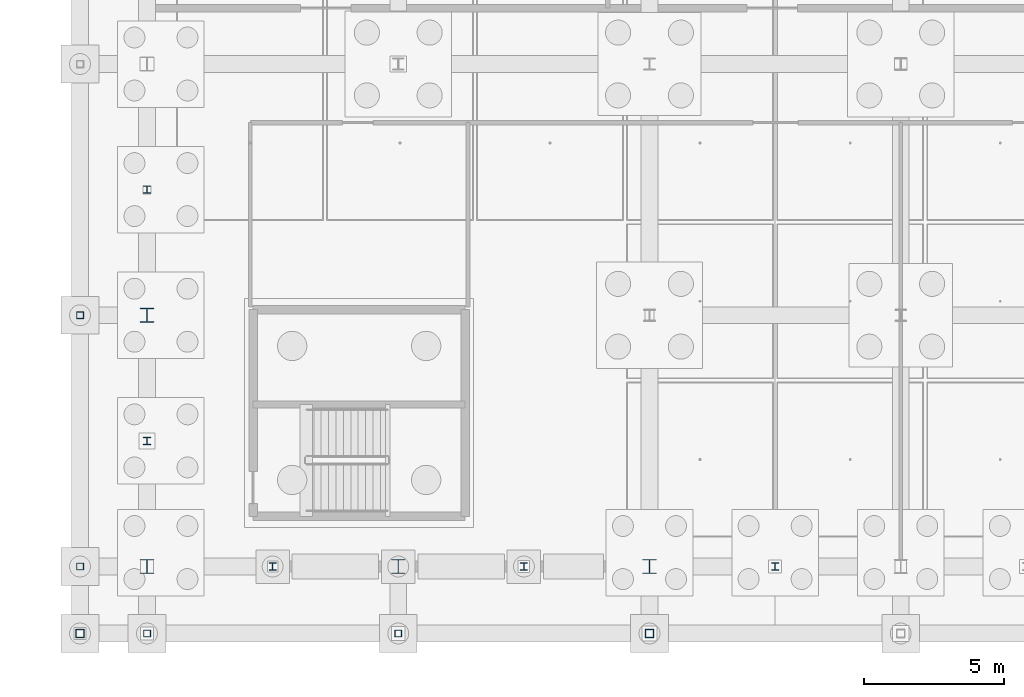
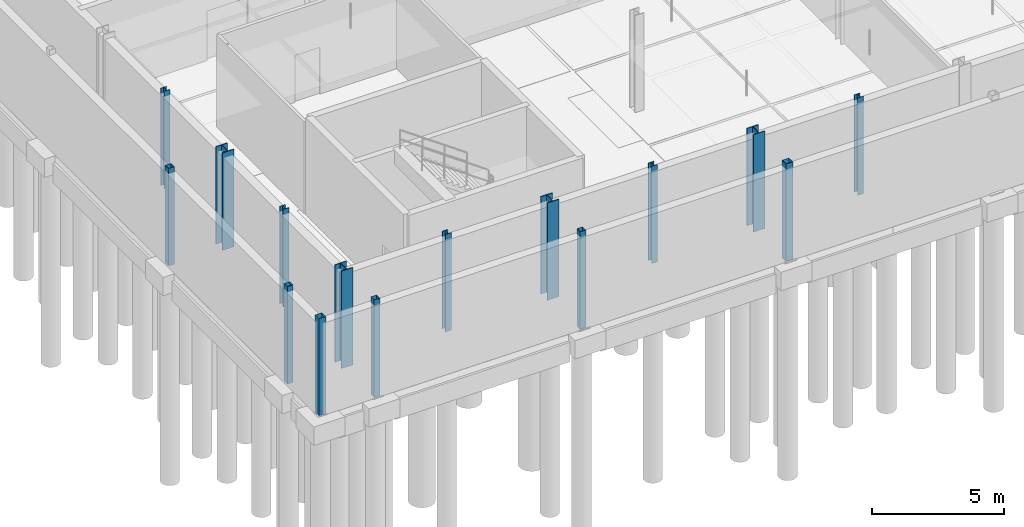
# One storey, part 5 of 48: 15 columns.
"""IFC4 building model written with IfcOpenShell, lengths in metres."""

from ifc_helpers import new_model, si_unit, direction, frame, origin, origin_2d, place, context, subcontext, project, spatial, hollow_rectangle, i_section, extrude, material, material_profile, profile_set, type_object, element, save


model = new_model("IFC4")

# Units and contexts
model_context = context("Model", 3, precision=1e-05, world=origin(), true_north=direction((0.0, 1.0)))
body_context = subcontext(model_context, "Body", "Model", "MODEL_VIEW")
ifc_project = project(units=[si_unit("LENGTHUNIT", "METRE"), si_unit("AREAUNIT", "SQUARE_METRE"), si_unit("VOLUMEUNIT", "CUBIC_METRE"), si_unit("PLANEANGLEUNIT", "RADIAN"), si_unit("MASSUNIT", "GRAM", prefix="KILO"), si_unit("THERMODYNAMICTEMPERATUREUNIT", "KELVIN"), si_unit("POWERUNIT", "WATT")], contexts=[model_context])

# Site, building, storey
site_placement = place(None, origin())
site = spatial("IfcSite", under=ifc_project, at=site_placement, CompositionType="ELEMENT")
building_placement = place(site_placement, origin())
building = spatial("IfcBuilding", under=site, at=building_placement, Name="Tallowbark Science Centre", CompositionType="ELEMENT")
storey_placement = place(building_placement, frame((0.0, 0.0, -4.5)))
storey = spatial("IfcBuildingStorey", under=building, at=storey_placement, Name="B1", CompositionType="ELEMENT", Elevation=-4.5)

# Columns
ifc_material_1 = material(Name="White Architectural Painted Steel Grade C350L0 (350 MPa)", Category="steel")
ifc_material_profile_1 = material_profile(ifc_material_1, hollow_rectangle(XDim=0.25, YDim=0.25, WallThickness=0.009033203125, at=origin_2d()), Name="250x250x9.0SHS")
ifc_profile_set_1 = profile_set([ifc_material_profile_1], Name="White Architectural Painted Steel Grade C350L0 (350 MPa)")
column_type_1 = type_object("IfcColumnType", Name="COL-SCR200", PredefinedType="COLUMN", material=ifc_profile_set_1)
for number, where, z_axis, x_axis, name in (
    (1, (58.5, 2.10009765625, 0.0), (0.0, 0.0, 1.0), (1.0, 0.0, 0.0), "Column SCR-S01 B1"),
    (2, (67.5, 2.10009765625, 0.0), (0.0, 0.0, 1.0), (1.0, 0.0, 0.0), "Column SCR-S02 B1"),
    (3, (56.10009765625, 4.5, 0.0), (0.0, 0.0, 1.0), (1.0, 0.0, 0.0), "Column SCR-W01 B1"),
    (4, (56.10009765625, 13.5, 0.0), (0.0, 0.0, 1.0), (1.0, 0.0, 0.0), "Column SCR-W02 B1"),
):
    element("IfcColumn", number, at=place(storey_placement, frame(where, z_axis=z_axis, x_axis=x_axis)), inside=storey, type_object=column_type_1, Name=name, PredefinedType="COLUMN", context=body_context, shape_type="SweptSolid", body=[
        extrude(hollow_rectangle(XDim=0.25, YDim=0.25, WallThickness=0.009033203125, at=origin_2d()), origin(), (0.0, 0.0, 1.0), 4.5),
    ])
ifc_material_profile_2 = material_profile(ifc_material_1, hollow_rectangle(XDim=0.300048828125, YDim=0.300048828125, WallThickness=0.010009765625, at=origin_2d()), Name="300x300x10.0SHS")
ifc_profile_set_2 = profile_set([ifc_material_profile_2], Name="White Architectural Painted Steel Grade C350L0 (350 MPa)")
column_type_2 = type_object("IfcColumnType", Name="COL-SCR300", PredefinedType="COLUMN", material=ifc_profile_set_2)
for number, where, z_axis, x_axis, name in (
    (5, (56.10009765625, 2.10009765625, 0.0), (0.0, 0.0, 1.0), (1.0, 0.0, 0.0), "Column SCR-S00 B1"),
    (6, (76.5, 2.10009765625, 0.0), (0.0, 0.0, 1.0), (1.0, 0.0, 0.0), "Column SCR-S03 B1"),
):
    element("IfcColumn", number, at=place(storey_placement, frame(where, z_axis=z_axis, x_axis=x_axis)), inside=storey, type_object=column_type_2, Name=name, PredefinedType="COLUMN", context=body_context, shape_type="SweptSolid", body=[
        extrude(hollow_rectangle(XDim=0.300048828125, YDim=0.300048828125, WallThickness=0.010009765625, at=origin_2d()), origin(), (0.0, 0.0, 1.0), 4.5),
    ])
ifc_material_2 = material(Name="Structural Steel Grade 300PLUS (300 MPa)", Category="steel")
ifc_material_profile_3 = material_profile(ifc_material_2, i_section(OverallWidth=0.5, OverallDepth=0.513916015625, WebThickness=0.02197265625, FlangeThickness=0.031982421875, FilletRadius=0.01611328125, at=origin_2d()), Name="500WC340")
ifc_profile_set_3 = profile_set([ifc_material_profile_3], Name="Structural Steel Grade 300PLUS (300 MPa)")
column_type_3 = type_object("IfcColumnType", Name="COL-WC500", PredefinedType="COLUMN", material=ifc_profile_set_3)
for number, where, z_axis, x_axis, name in (
    (7, (58.5, 4.5, 0.0), (0.0, 0.0, 1.0), (1.0, 0.0, 0.0), "Column CUB-M0_0 B1"),
    (8, (58.5, 13.5, 0.0), (0.0, 0.0, 1.0), (1.0, 0.0, 0.0), "Column CUB-M0_1 B1"),
    (9, (67.5, 4.5, 0.0), (0.0, 0.0, 1.0), (1.0, 0.0, 0.0), "Column CUB-M1_0 B1"),
    (10, (76.5, 4.5, 0.0), (0.0, 0.0, 1.0), (1.0, 0.0, 0.0), "Column CUB-M2_0 B1"),
):
    element("IfcColumn", number, at=place(storey_placement, frame(where, z_axis=z_axis, x_axis=x_axis)), inside=storey, type_object=column_type_3, Name=name, PredefinedType="COLUMN", context=body_context, shape_type="SweptSolid", body=[
        extrude(i_section(OverallWidth=0.5, OverallDepth=0.513916015625, WebThickness=0.02197265625, FlangeThickness=0.031982421875, FilletRadius=0.01611328125, at=origin_2d()), origin(), (0.0, 0.0, 1.0), 4.5),
    ])
ifc_material_profile_4 = material_profile(ifc_material_2, i_section(OverallWidth=0.256103515625, OverallDepth=0.260009765625, WebThickness=0.010498046875, FlangeThickness=0.017333984375, FilletRadius=0.013916015625, at=origin_2d()), Name="250UC89.5")
ifc_profile_set_4 = profile_set([ifc_material_profile_4], Name="Structural Steel Grade 300PLUS (300 MPa)")
column_type_4 = type_object("IfcColumnType", Name="PIL-UC250", PredefinedType="PILASTER", material=ifc_profile_set_4)
for number, where, z_axis, x_axis, name in (
    (11, (63.0, 4.5, 0.0), (0.0, 0.0, 1.0), (1.0, 0.0, 0.0), "Column CUB-PS-0 B1"),
    (12, (72.0, 4.5, 0.0), (0.0, 0.0, 1.0), (1.0, 0.0, 0.0), "Column CUB-PS-1 B1"),
    (13, (81.0, 4.5, 0.0), (0.0, 0.0, 1.0), (1.0, 0.0, 0.0), "Column CUB-PSB-2 B1"),
    (14, (58.5, 9.0, 0.0), (0.0, 0.0, 1.0), (1.0, 0.0, 0.0), "Column CUB-PW-0 B1"),
    (15, (58.5, 18.0, 0.0), (0.0, 0.0, 1.0), (1.0, 0.0, 0.0), "Column CUB-PW-1 B1"),
):
    element("IfcColumn", number, at=place(storey_placement, frame(where, z_axis=z_axis, x_axis=x_axis)), inside=storey, type_object=column_type_4, Name=name, PredefinedType="PILASTER", context=body_context, shape_type="SweptSolid", body=[
        extrude(i_section(OverallWidth=0.256103515625, OverallDepth=0.260009765625, WebThickness=0.010498046875, FlangeThickness=0.017333984375, FilletRadius=0.013916015625, at=origin_2d()), origin(), (0.0, 0.0, 1.0), 4.5),
    ])

save(model, "model.ifc")
